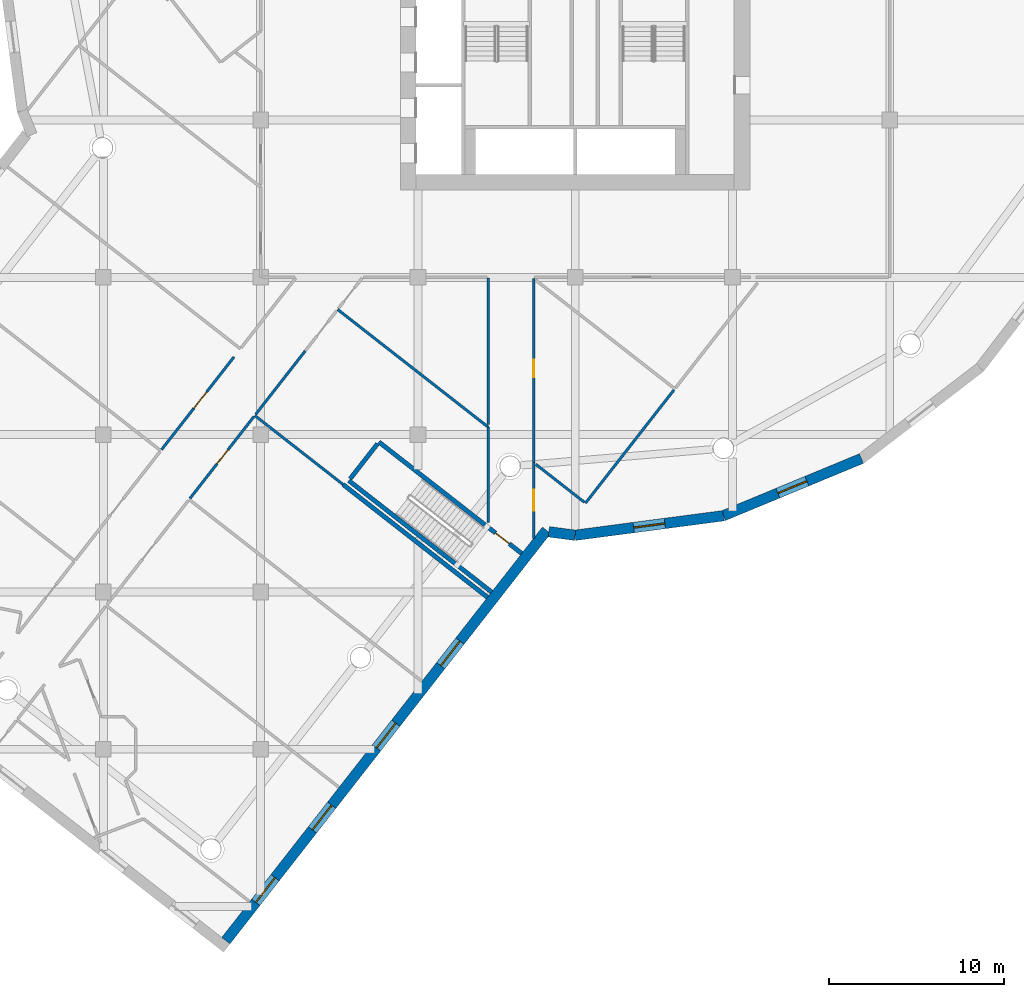
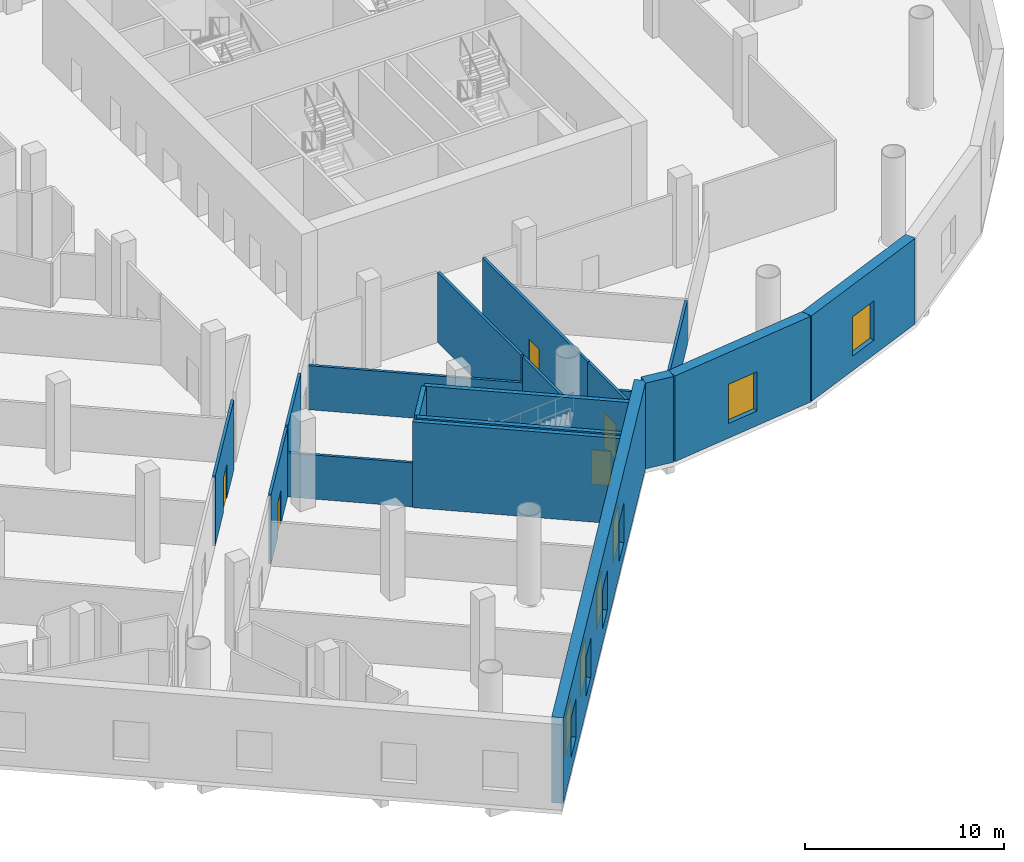
# One storey, part 5 of 23: 19 walls, 6 windows, 5 doors, 11 openings.
"""IFC4 building model written with IfcOpenShell, lengths in metres."""

import ifcopenshell
import ifcopenshell.guid

model = None  # the IFC model being written
_history = None  # IfcOwnerHistory: only IFC2X3 demands one
_inside = {}  # id of a spatial element -> (the spatial element, [elements in it])
_under = {}  # id of a project, library or spatial element -> (it, [spatial elements below it])
_declared = {}  # id of a project -> (the project, [libraries it declares])
_typed = {}  # id of a type object -> (the type object, [elements of that type])
_made_of = {}  # id of a material, layer set ... -> (it, [elements and type objects made of it])


def new_model(schema):
    """Start an empty IFC model of exactly this schema.

    Asked for "IFC4X3", IfcOpenShell would pick the latest addendum, in which some entities
    have other attributes; the version numbers below select the first issue.
    IFC2X3 requires an IfcOwnerHistory on every rooted entity: one is made here for all.
    """
    global model, _history
    if schema == "IFC4X3":
        model = ifcopenshell.file(schema_version=(4, 3, 0, 0))
    else:
        model = ifcopenshell.file(schema=schema)
    _inside.clear()
    _under.clear()
    _declared.clear()
    _typed.clear()
    _made_of.clear()
    _history = None
    if model.schema == "IFC2X3":
        org = make("IfcOrganization", Name="unknown")
        user = make(
            "IfcPersonAndOrganization",
            ThePerson=make("IfcPerson", FamilyName="unknown"),
            TheOrganization=org,
        )
        app = make(
            "IfcApplication",
            ApplicationDeveloper=org,
            Version="unknown",
            ApplicationFullName="unknown",
            ApplicationIdentifier="unknown",
        )
        _history = make(
            "IfcOwnerHistory",
            OwningUser=user,
            OwningApplication=app,
            ChangeAction="ADDED",
            CreationDate=0,
        )
    return model


def make(cls, **values):
    """One entity of the class cls with the attributes given. An attribute that is None is left unset."""
    return model.create_entity(
        cls, **{name: value for name, value in values.items() if value is not None}
    )


def rooted(cls, **values):
    """An entity with a GlobalId (a new one), such as an element, a storey or a relation."""
    return make(cls, GlobalId=ifcopenshell.guid.new(), OwnerHistory=_history, **values)


def si_unit(unit_type, name, prefix=None):
    """IfcSIUnit, for example si_unit("LENGTHUNIT", "METRE", prefix="MILLI")."""
    return make("IfcSIUnit", UnitType=unit_type, Prefix=prefix, Name=name)


def assignment(units):
    """IfcUnitAssignment: the units of a project."""
    return None if units is None else make("IfcUnitAssignment", Units=units)


def point(xyz):
    """IfcCartesianPoint."""
    return None if xyz is None else make("IfcCartesianPoint", Coordinates=xyz)


def direction(xyz):
    """IfcDirection."""
    return None if xyz is None else make("IfcDirection", DirectionRatios=xyz)


def frame(location, z_axis=None, x_axis=None):
    """IfcAxis2Placement3D, a coordinate frame: its origin and axes. An axis left out is left unset."""
    return make(
        "IfcAxis2Placement3D",
        Location=point(location),
        Axis=direction(z_axis),
        RefDirection=direction(x_axis),
    )


def frame_2d(location, x_axis=None):
    """IfcAxis2Placement2D, a coordinate frame in the plane: its origin and x axis."""
    return make(
        "IfcAxis2Placement2D", Location=point(location), RefDirection=direction(x_axis)
    )


def origin():
    """The frame at (0, 0, 0) with its axes left unset."""
    return frame((0.0, 0.0, 0.0))


def place(relative_to, where):
    """IfcLocalPlacement: puts the frame where relative to a parent placement (None: the world)."""
    return make(
        "IfcLocalPlacement", PlacementRelTo=relative_to, RelativePlacement=where
    )


def context(
    kind, dimensions, precision=None, world=None, true_north=None, identifier=None
):
    """IfcGeometricRepresentationContext, for example the 3D "Model" context."""
    return make(
        "IfcGeometricRepresentationContext",
        ContextIdentifier=identifier,
        ContextType=kind,
        CoordinateSpaceDimension=dimensions,
        Precision=precision,
        WorldCoordinateSystem=world,
        TrueNorth=true_north,
    )


def subcontext(parent, identifier, kind, view, scale=None):
    """IfcGeometricRepresentationSubContext, for example "Body" below "Model"."""
    return make(
        "IfcGeometricRepresentationSubContext",
        ContextIdentifier=identifier,
        ContextType=kind,
        ParentContext=parent,
        TargetScale=scale,
        TargetView=view,
    )


def project(units=None, contexts=None):
    """IfcProject with its units and contexts."""
    return rooted(
        "IfcProject",
        Name="project",
        RepresentationContexts=contexts,
        UnitsInContext=assignment(units),
    )


def spatial(cls, under=None, at=None, **own):
    """A site, building, storey or space (cls), placed at a placement, below another one or the project."""
    s = rooted(cls, ObjectPlacement=at, **own)
    if under is not None:
        _under.setdefault(under.id(), (under, []))[1].append(s)
    return s


def profile(cls, at=None, kind="AREA", **sizes):
    """A parametric profile (cls). Its sizes go by their IFC names, for example OverallWidth=200.0."""
    return make(cls, ProfileType=kind, Position=at, **sizes)


def rectangle(**sizes):
    """IfcRectangleProfileDef."""
    return profile("IfcRectangleProfileDef", **sizes)


def extrude(swept, where, along, depth):
    """IfcExtrudedAreaSolid: the profile swept, set in the frame where, extruded along a direction by depth."""
    return make(
        "IfcExtrudedAreaSolid",
        SweptArea=swept,
        Position=where,
        ExtrudedDirection=direction(along),
        Depth=depth,
    )


def shape(context_of_items, identifier, shape_type, items):
    """IfcShapeRepresentation: the items that make up one representation, for example the "Body"."""
    return make(
        "IfcShapeRepresentation",
        ContextOfItems=context_of_items,
        RepresentationIdentifier=identifier,
        RepresentationType=shape_type,
        Items=items,
    )


def material(Name=None, Category=None):
    """IfcMaterial."""
    return make("IfcMaterial", Name=Name, Category=Category)


def layer(
    of_material, thickness, ventilated=None, Name=None, Category=None, Priority=None
):
    """IfcMaterialLayer: one layer of a wall or slab, of a material (None: an air gap)."""
    return make(
        "IfcMaterialLayer",
        Material=of_material,
        LayerThickness=thickness,
        IsVentilated=ventilated,
        Name=Name,
        Category=Category,
        Priority=Priority,
    )


def layer_set(layers, Name=None):
    """IfcMaterialLayerSet."""
    return make("IfcMaterialLayerSet", MaterialLayers=layers, LayerSetName=Name)


def made_of(thing, what):
    """Note that an element or type object is made of a material, layer set ...; save() writes the relation."""
    if what is not None:
        _made_of.setdefault(what.id(), (what, []))[1].append(thing)
    return thing


def type_object(cls, material=None, **own):
    """A type object (cls), such as IfcWallType, which elements share."""
    return made_of(rooted(cls, **own), material)


def element(
    cls,
    number,
    at=None,
    inside=None,
    cuts=None,
    type_object=None,
    material=None,
    context=None,
    identifier="Body",
    shape_type=None,
    held_by="IfcProductDefinitionShape",
    body=None,
    shapes=None,
    **own,
):
    """One element of the class cls, such as IfcWall. Its Tag is "e" and its number.

    at: its placement. inside: the storey or other place that contains it. cuts: it is an
    opening in that element (IfcRelVoidsElement). A single representation is given by context,
    identifier, shape_type and body (its items); several are given by shapes. held_by: the class
    of the entity that holds the representations. save() writes the other relations.
    """
    e = rooted(cls, Tag="e%d" % number, ObjectPlacement=at, **own)
    if body is not None:
        shapes = [shape(context, identifier, shape_type, body)]
    if shapes is not None:
        e.Representation = make(held_by, Representations=shapes)
    if inside is not None:
        _inside.setdefault(inside.id(), (inside, []))[1].append(e)
    if cuts is not None:
        rooted(
            "IfcRelVoidsElement", RelatingBuildingElement=cuts, RelatedOpeningElement=e
        )
    if type_object is not None:
        _typed.setdefault(type_object.id(), (type_object, []))[1].append(e)
    return made_of(e, material)


def fill(opening, filler):
    """IfcRelFillsElement: the door or window that sits in an opening."""
    return rooted(
        "IfcRelFillsElement",
        RelatingOpeningElement=opening,
        RelatedBuildingElement=filler,
    )


def aggregate(whole, parts):
    """IfcRelAggregates: a whole, such as a stair, and the parts it consists of."""
    return rooted("IfcRelAggregates", RelatingObject=whole, RelatedObjects=parts)


def save(model, path):
    """Write the relations noted so far, then the file.

    IfcRelAggregates (storeys below a building ...), IfcRelContainedInSpatialStructure (elements
    in a storey), IfcRelDefinesByType, IfcRelAssociatesMaterial and IfcRelDeclares: one each for
    every whole, place, type object, material and project.
    """
    for whole, parts in _under.values():
        aggregate(whole, parts)
    for where, things in _inside.values():
        rooted(
            "IfcRelContainedInSpatialStructure",
            RelatedElements=things,
            RelatingStructure=where,
        )
    for kind, things in _typed.values():
        rooted("IfcRelDefinesByType", RelatedObjects=things, RelatingType=kind)
    for what, things in _made_of.values():
        rooted("IfcRelAssociatesMaterial", RelatedObjects=things, RelatingMaterial=what)
    for by, libraries in _declared.values():
        rooted("IfcRelDeclares", RelatingContext=by, RelatedDefinitions=libraries)
    model.write(path)


model = new_model("IFC4")

# Units and contexts
model_context = context("Model", 3, precision=1e-05, world=origin(), true_north=direction((0.0, 1.0)))
body_context = subcontext(model_context, "Body", "Model", "MODEL_VIEW")
ifc_project = project(units=[si_unit("LENGTHUNIT", "METRE"), si_unit("AREAUNIT", "SQUARE_METRE"), si_unit("VOLUMEUNIT", "CUBIC_METRE"), si_unit("PLANEANGLEUNIT", "RADIAN"), si_unit("MASSUNIT", "GRAM", prefix="KILO")], contexts=[model_context])

# Site, building, storey
site_placement = place(None, origin())
site = spatial("IfcSite", under=ifc_project, at=site_placement, CompositionType="ELEMENT")
building_placement = place(site_placement, origin())
building = spatial("IfcBuilding", under=site, at=building_placement, Name="Tarsis Ring Headquarters", CompositionType="ELEMENT")
storey_placement = place(building_placement, frame((0.0, 0.0, 19.5)))
storey = spatial("IfcBuildingStorey", under=building, at=storey_placement, Name="L03", CompositionType="ELEMENT", Elevation=19.5)

# Walls
ifc_material_1 = material(Name="Plasterboard partition")
ifc_layer_1 = layer(ifc_material_1, 0.14990234375)
ifc_layer_set_1 = layer_set([ifc_layer_1], Name="PO-PW150")
wall_type_1 = type_object("IfcWallType", Name="PO-PW150", PredefinedType="PARTITIONING", material=ifc_layer_set_1)
wall_1_placement = place(storey_placement, frame((-13.59375, -19.835693359375, 0.0), z_axis=(0.0, 0.0, 1.0), x_axis=(0.788011845372, -0.615660077928, 0.0)))
element("IfcWall", 1, at=wall_1_placement, inside=storey, type_object=wall_type_1, Name="L03 partition wall 18", PredefinedType="PARTITIONING", context=body_context, shape_type="SweptSolid", body=[
    extrude(rectangle(XDim=10.931396484375, YDim=0.14990234375, at=frame_2d((5.4658203125, 0.0))), origin(), (0.0, 0.0, 1.0), 2.699951171875),
])
wall_2_placement = place(storey_placement, frame((0.59033203125, -30.917724609375, 0.0), z_axis=(0.0, 0.0, 1.0), x_axis=(0.615660179856, 0.788011765736, 0.0)))
element("IfcWall", 2, at=wall_2_placement, inside=storey, type_object=wall_type_1, Name="L03 partition wall 37", PredefinedType="PARTITIONING", context=body_context, shape_type="SweptSolid", body=[
    extrude(rectangle(XDim=8.22021484375, YDim=0.14990234375, at=frame_2d((4.110107421875, 0.0))), origin(), (0.0, 0.0, 1.0), 2.699951171875),
])
wall_3_placement = place(storey_placement, frame((-18.33447265625, -25.9033203125, 0.0), z_axis=(0.0, 0.0, 1.0), x_axis=(0.788000107772, -0.61567510113, 0.0)))
element("IfcWall", 3, at=wall_3_placement, inside=storey, type_object=wall_type_1, Name="L03 partition wall 53", PredefinedType="PARTITIONING", context=body_context, shape_type="SweptSolid", body=[
    extrude(rectangle(XDim=6.406494140625, YDim=0.14990234375, at=frame_2d((3.203125, 0.0))), origin(), (0.0, 0.0, 1.0), 2.699951171875),
])
wall_4_placement = place(storey_placement, frame((-2.253662109375, -28.695556640625, 0.0), z_axis=(0.0, 0.0, 1.0), x_axis=(0.787998153612, -0.615677602243, 0.0)))
element("IfcWall", 4, at=wall_4_placement, inside=storey, type_object=wall_type_1, Name="L03 partition wall 91", PredefinedType="PARTITIONING", context=body_context, shape_type="SweptSolid", body=[
    extrude(rectangle(XDim=3.529296875, YDim=0.14990234375, at=frame_2d((1.7646484375, 0.0))), origin(), (0.0, 0.0, 1.0), 2.699951171875),
])

# Wall, opening, door
ifc_layer_2 = layer(ifc_material_1, 0.14990234375)
ifc_layer_set_2 = layer_set([ifc_layer_2], Name="PO-PW150R-4283")
wall_type_2 = type_object("IfcWallType", Name="PO-PW150R-4283", PredefinedType="PARTITIONING", material=ifc_layer_set_2)
wall_5_placement = place(storey_placement, frame((-2.3798828125, -18.064208984375, 0.0), z_axis=(0.0, 0.0, 1.0), x_axis=(0.0, -1.0, 0.0)))
wall_5 = element("IfcWall", 5, at=wall_5_placement, inside=storey, type_object=wall_type_2, Name="L03 partition wall 19", PredefinedType="PARTITIONING", context=body_context, shape_type="SweptSolid", body=[
    extrude(rectangle(XDim=10.532958984375, YDim=0.14990234375, at=frame_2d((5.2666015625, 0.0))), origin(), (0.0, 0.0, 1.0), 4.282958984375),
])
opening_1_placement = place(wall_5_placement, frame((4.6484375, 0.0, 0.0)))
opening_1 = element("IfcOpeningElement", 6, at=opening_1_placement, cuts=wall_5, Name="Opening PO-D1", PredefinedType="OPENING", context=body_context, shape_type="SweptSolid", body=[
    extrude(rectangle(XDim=1.0, YDim=2.10009765625, at=frame_2d((0.5, 1.050048828125))), frame((0.0, 0.0849609375, 0.0), z_axis=(0.0, -1.0, 0.0), x_axis=(1.0, 0.0, 0.0)), (0.0, 0.0, 1.0), 0.169921875),
])
ifc_material_2 = material(Name="Timber door", Category="wood")
door_type_1 = type_object("IfcDoorType", Name="PO-D1000", OperationType="NOTDEFINED", PredefinedType="DOOR", material=ifc_material_2)
door_1_placement = place(opening_1_placement, origin())
door_1 = element("IfcDoor", 7, at=door_1_placement, inside=storey, type_object=door_type_1, Name="Consulting room door", OperationType="SINGLE_SWING_RIGHT", OverallHeight=2.10009765625, OverallWidth=1.0, PredefinedType="DOOR", context=body_context, shape_type="SweptSolid", body=[
    extrude(rectangle(XDim=1.0, YDim=2.10009765625, at=frame_2d((0.5, 1.050048828125))), frame((0.0, 0.02490234375, 0.0), z_axis=(0.0, -1.0, 0.0), x_axis=(1.0, 0.0, 0.0)), (0.0, 0.0, 1.0), 0.050048828125),
])
fill(opening_1, door_1)

# Wall
wall_6_placement = place(storey_placement, frame((-4.979736328125, -26.40576171875, 0.0), z_axis=(0.0, 0.0, 1.0), x_axis=(0.0, 1.0, 0.0)))
element("IfcWall", 8, at=wall_6_placement, inside=storey, type_object=wall_type_2, Name="L03 partition wall 34", PredefinedType="PARTITIONING", context=body_context, shape_type="SweptSolid", body=[
    extrude(rectangle(XDim=8.36572265625, YDim=0.14990234375, at=frame_2d((4.182861328125, 0.0))), origin(), (0.0, 0.0, 1.0), 4.282958984375),
])

# Wall, opening, door
wall_7_placement = place(storey_placement, frame((-23.666015625, -27.854736328125, 0.0), z_axis=(0.0, 0.0, 1.0), x_axis=(0.615653200098, 0.788017218853, 0.0)))
wall_7 = element("IfcWall", 9, at=wall_7_placement, inside=storey, type_object=wall_type_2, Name="L03 partition wall 50", PredefinedType="PARTITIONING", context=body_context, shape_type="SweptSolid", body=[
    extrude(rectangle(XDim=6.72509765625, YDim=0.14990234375, at=frame_2d((3.362548828125, 0.0))), origin(), (0.0, 0.0, 1.0), 4.282958984375),
])
opening_2_placement = place(wall_7_placement, frame((2.989990234375, 0.0, 0.0)))
opening_2 = element("IfcOpeningElement", 10, at=opening_2_placement, cuts=wall_7, Name="Opening PO-D2", PredefinedType="OPENING", context=body_context, shape_type="SweptSolid", body=[
    extrude(rectangle(XDim=1.199951171875, YDim=2.10009765625, at=frame_2d((0.60009765625, 1.050048828125))), frame((0.0, 0.0849609375, 0.0), z_axis=(0.0, -1.0, 0.0), x_axis=(1.0, 0.0, 0.0)), (0.0, 0.0, 1.0), 0.169921875),
])
door_type_2 = type_object("IfcDoorType", Name="PO-D1200", OperationType="NOTDEFINED", PredefinedType="DOOR", material=ifc_material_2)
door_2_placement = place(opening_2_placement, origin())
door_2 = element("IfcDoor", 11, at=door_2_placement, inside=storey, type_object=door_type_2, Name="Consulting room door", OperationType="SINGLE_SWING_RIGHT", OverallHeight=2.10009765625, OverallWidth=1.199951171875, PredefinedType="DOOR", context=body_context, shape_type="SweptSolid", body=[
    extrude(rectangle(XDim=1.199951171875, YDim=2.10009765625, at=frame_2d((0.60009765625, 1.050048828125))), frame((0.0, 0.02490234375, 0.0), z_axis=(0.0, -1.0, 0.0), x_axis=(1.0, 0.0, 0.0)), (0.0, 0.0, 1.0), 0.050048828125),
])
fill(opening_2, door_2)

wall_8_placement = place(storey_placement, frame((-18.3837890625, -25.966552734375, 0.0), z_axis=(0.0, 0.0, 1.0), x_axis=(-0.615666374874, -0.788006925635, 0.0)))
wall_8 = element("IfcWall", 12, at=wall_8_placement, inside=storey, type_object=wall_type_2, Name="L03 partition wall 56", PredefinedType="PARTITIONING", context=body_context, shape_type="SweptSolid", body=[
    extrude(rectangle(XDim=5.93994140625, YDim=0.14990234375, at=frame_2d((2.969970703125, 0.0))), origin(), (0.0, 0.0, 1.0), 4.282958984375),
])
opening_3_placement = place(wall_8_placement, frame((2.419921875, 0.0, 0.0)))
opening_3 = element("IfcOpeningElement", 13, at=opening_3_placement, cuts=wall_8, Name="Opening PO-D1", PredefinedType="OPENING", context=body_context, shape_type="SweptSolid", body=[
    extrude(rectangle(XDim=1.0, YDim=2.10009765625, at=frame_2d((0.5, 1.050048828125))), frame((0.0, 0.0849609375, 0.0), z_axis=(0.0, -1.0, 0.0), x_axis=(1.0, 0.0, 0.0)), (0.0, 0.0, 1.0), 0.169921875),
])
door_3_placement = place(opening_3_placement, origin())
door_3 = element("IfcDoor", 14, at=door_3_placement, inside=storey, type_object=door_type_1, Name="Pharmacy store door", OperationType="SINGLE_SWING_RIGHT", OverallHeight=2.10009765625, OverallWidth=1.0, PredefinedType="DOOR", context=body_context, shape_type="SweptSolid", body=[
    extrude(rectangle(XDim=1.0, YDim=2.10009765625, at=frame_2d((0.5, 1.050048828125))), frame((0.0, 0.02490234375, 0.0), z_axis=(0.0, -1.0, 0.0), x_axis=(1.0, 0.0, 0.0)), (0.0, 0.0, 1.0), 0.050048828125),
])
fill(opening_3, door_3)

# Walls
wall_9_placement = place(storey_placement, frame((-4.979736328125, -32.014404296875, 0.0), z_axis=(0.0, 0.0, 1.0), x_axis=(0.0, 1.0, 0.0)))
element("IfcWall", 15, at=wall_9_placement, inside=storey, type_object=wall_type_2, Name="L03 partition wall 65", PredefinedType="PARTITIONING", context=body_context, shape_type="SweptSolid", body=[
    extrude(rectangle(XDim=5.44873046875, YDim=0.14990234375, at=frame_2d((2.724365234375, 0.0))), origin(), (0.0, 0.0, 1.0), 4.282958984375),
])
wall_10_placement = place(storey_placement, frame((-15.4453125, -22.20556640625, 0.0), z_axis=(0.0, 0.0, 1.0), x_axis=(-0.615668692597, -0.788005114803, 0.0)))
element("IfcWall", 16, at=wall_10_placement, inside=storey, type_object=wall_type_2, Name="L03 partition wall 75", PredefinedType="PARTITIONING", context=body_context, shape_type="SweptSolid", body=[
    extrude(rectangle(XDim=4.612548828125, YDim=0.14990234375, at=frame_2d((2.30615234375, 0.0))), origin(), (0.0, 0.0, 1.0), 4.282958984375),
])

# Wall, opening, door
wall_11_placement = place(storey_placement, frame((-2.3798828125, -28.598388671875, 0.0), z_axis=(0.0, 0.0, 1.0), x_axis=(0.0, -1.0, 0.0)))
wall_11 = element("IfcWall", 17, at=wall_11_placement, inside=storey, type_object=wall_type_2, Name="L03 partition wall 81", PredefinedType="PARTITIONING", context=body_context, shape_type="SweptSolid", body=[
    extrude(rectangle(XDim=4.334228515625, YDim=0.14990234375, at=frame_2d((2.1669921875, 0.0))), origin(), (0.0, 0.0, 1.0), 4.282958984375),
])
opening_4_placement = place(wall_11_placement, frame((1.548583984375, 0.0, 0.0)))
opening_4 = element("IfcOpeningElement", 18, at=opening_4_placement, cuts=wall_11, Name="Opening PO-D2", PredefinedType="OPENING", context=body_context, shape_type="SweptSolid", body=[
    extrude(rectangle(XDim=1.199951171875, YDim=2.10009765625, at=frame_2d((0.60009765625, 1.050048828125))), frame((0.0, 0.0849609375, 0.0), z_axis=(0.0, -1.0, 0.0), x_axis=(1.0, 0.0, 0.0)), (0.0, 0.0, 1.0), 0.169921875),
])
door_4_placement = place(opening_4_placement, origin())
door_4 = element("IfcDoor", 19, at=door_4_placement, inside=storey, type_object=door_type_2, Name="Server room door", OperationType="SINGLE_SWING_LEFT", OverallHeight=2.10009765625, OverallWidth=1.199951171875, PredefinedType="DOOR", context=body_context, shape_type="SweptSolid", body=[
    extrude(rectangle(XDim=1.199951171875, YDim=2.10009765625, at=frame_2d((0.60009765625, 1.050048828125))), frame((0.0, 0.02490234375, 0.0), z_axis=(0.0, -1.0, 0.0), x_axis=(1.0, 0.0, 0.0)), (0.0, 0.0, 1.0), 0.050048828125),
])
fill(opening_4, door_4)

# Wall
ifc_material_3 = material(Name="Concrete C40/50", Category="concrete")
ifc_layer_3 = layer(ifc_material_3, 0.25)
ifc_layer_set_3 = layer_set([ifc_layer_3], Name="PO-W250")
wall_type_3 = type_object("IfcWallType", Name="PO-W250", PredefinedType="SOLIDWALL", material=ifc_layer_set_3)
wall_12_placement = place(storey_placement, frame((-5.01708984375, -36.30810546875, 0.0), z_axis=(0.0, 0.0, 1.0), x_axis=(-0.788012380899, 0.615659392481, 0.0)))
element("IfcWall", 20, at=wall_12_placement, inside=storey, type_object=wall_type_3, Name="L03 shaft wall 20", PredefinedType="SOLIDWALL", context=body_context, shape_type="SweptSolid", body=[
    extrude(rectangle(XDim=10.49365234375, YDim=0.25, at=frame_2d((5.246826171875, 0.0))), origin(), (0.0, 0.0, 1.0), 5.25),
])

# Wall, opening, door
wall_13_placement = place(storey_placement, frame((-11.23193359375, -27.41943359375, 0.0), z_axis=(0.0, 0.0, 1.0), x_axis=(0.788273447376, -0.615325094696, 0.0)))
wall_13 = element("IfcWall", 21, at=wall_13_placement, inside=storey, type_object=wall_type_3, Name="L03 shaft wall 21", PredefinedType="SOLIDWALL", context=body_context, shape_type="SweptSolid", body=[
    extrude(rectangle(XDim=10.369873046875, YDim=0.25, at=frame_2d((5.18505859375, 0.0))), origin(), (0.0, 0.0, 1.0), 5.25),
])
opening_5_placement = place(wall_13_placement, frame((8.465087890625, 0.0, 0.0)))
opening_5 = element("IfcOpeningElement", 22, at=opening_5_placement, cuts=wall_13, Name="Opening PO-D3", PredefinedType="OPENING", context=body_context, shape_type="SweptSolid", body=[
    extrude(rectangle(XDim=1.0, YDim=2.10009765625, at=frame_2d((0.5, 1.050048828125))), frame((0.0, 0.135009765625, 0.0), z_axis=(0.0, -1.0, 0.0), x_axis=(1.0, 0.0, 0.0)), (0.0, 0.0, 1.0), 0.27001953125),
])
ifc_material_4 = material(Name="Steel fire door", Category="steel")
door_type_3 = type_object("IfcDoorType", Name="PO-D1000F", OperationType="SINGLE_SWING_LEFT", PredefinedType="DOOR", material=ifc_material_4)
door_5_placement = place(opening_5_placement, origin())
door_5 = element("IfcDoor", 23, at=door_5_placement, inside=storey, type_object=door_type_3, Name="Exit stair 2 door", OperationType="SINGLE_SWING_LEFT", OverallHeight=2.10009765625, OverallWidth=1.0, PredefinedType="DOOR", context=body_context, shape_type="SweptSolid", body=[
    extrude(rectangle(XDim=1.0, YDim=2.10009765625, at=frame_2d((0.5, 1.050048828125))), frame((0.0, 0.02490234375, 0.0), z_axis=(0.0, -1.0, 0.0), x_axis=(1.0, 0.0, 0.0)), (0.0, 0.0, 1.0), 0.050048828125),
])
fill(opening_5, door_5)

# Walls
wall_14_placement = place(storey_placement, frame((-4.781494140625, -36.006591796875, 0.0), z_axis=(0.0, 0.0, 1.0), x_axis=(-0.788283470415, 0.615312254283, 0.0)))
element("IfcWall", 24, at=wall_14_placement, inside=storey, type_object=wall_type_3, Name="L03 shaft wall 23", PredefinedType="SOLIDWALL", context=body_context, shape_type="SweptSolid", body=[
    extrude(rectangle(XDim=10.368408203125, YDim=0.25, at=frame_2d((5.18408203125, 0.0))), origin(), (0.0, 0.0, 1.0), 5.25),
])
wall_15_placement = place(storey_placement, frame((-12.875, -29.524169921875, 0.0), z_axis=(0.0, 0.0, 1.0), x_axis=(0.615343695919, 0.788258926935, 0.0)))
element("IfcWall", 25, at=wall_15_placement, inside=storey, type_object=wall_type_3, Name="L03 shaft wall 105", PredefinedType="SOLIDWALL", context=body_context, shape_type="SweptSolid", body=[
    extrude(rectangle(XDim=2.5400390625, YDim=0.25, at=frame_2d((1.27001953125, 0.0))), origin(), (0.0, 0.0, 1.0), 5.25),
])

# Wall, openings, windows
ifc_material_5 = material(Name="Concrete C60/75", Category="concrete")
ifc_layer_4 = layer(ifc_material_5, 0.60009765625)
ifc_layer_set_4 = layer_set([ifc_layer_4], Name="PO-W600")
wall_type_4 = type_object("IfcWallType", Name="PO-W600", PredefinedType="SOLIDWALL", material=ifc_layer_set_4)
wall_16_placement = place(storey_placement, frame((-19.987548828125, -55.956787109375, 0.0), z_axis=(0.0, 0.0, 1.0), x_axis=(0.615659303268, 0.7880124506, 0.0)))
wall_16 = element("IfcWall", 26, at=wall_16_placement, inside=storey, type_object=wall_type_4, Name="L03 external wall 8", PredefinedType="SOLIDWALL", context=body_context, shape_type="SweptSolid", body=[
    extrude(rectangle(XDim=29.802001953125, YDim=0.60009765625, at=frame_2d((14.90087890625, 0.0))), origin(), (0.0, 0.0, 1.0), 5.25),
])
opening_6_placement = place(wall_16_placement, frame((2.7802734375, 0.0, 0.89990234375)))
opening_6 = element("IfcOpeningElement", 27, at=opening_6_placement, cuts=wall_16, Name="Opening PO-WN1", PredefinedType="OPENING", context=body_context, shape_type="SweptSolid", body=[
    extrude(rectangle(XDim=1.800048828125, YDim=2.39990234375, at=frame_2d((0.89990234375, 1.199951171875))), frame((0.0, 0.31005859375, 0.0), z_axis=(0.0, -1.0, 0.0), x_axis=(1.0, 0.0, 0.0)), (0.0, 0.0, 1.0), 0.6201171875),
])
opening_7_placement = place(wall_16_placement, frame((8.04052734375, 0.0, 0.89990234375)))
opening_7 = element("IfcOpeningElement", 28, at=opening_7_placement, cuts=wall_16, Name="Opening PO-WN1", PredefinedType="OPENING", context=body_context, shape_type="SweptSolid", body=[
    extrude(rectangle(XDim=1.800048828125, YDim=2.39990234375, at=frame_2d((0.89990234375, 1.199951171875))), frame((0.0, 0.31005859375, 0.0), z_axis=(0.0, -1.0, 0.0), x_axis=(1.0, 0.0, 0.0)), (0.0, 0.0, 1.0), 0.6201171875),
])
opening_8_placement = place(wall_16_placement, frame((14.0009765625, 0.0, 0.89990234375)))
opening_8 = element("IfcOpeningElement", 29, at=opening_8_placement, cuts=wall_16, Name="Opening PO-WN1", PredefinedType="OPENING", context=body_context, shape_type="SweptSolid", body=[
    extrude(rectangle(XDim=1.800048828125, YDim=2.39990234375, at=frame_2d((0.89990234375, 1.199951171875))), frame((0.0, 0.31005859375, 0.0), z_axis=(0.0, -1.0, 0.0), x_axis=(1.0, 0.0, 0.0)), (0.0, 0.0, 1.0), 0.6201171875),
])
opening_9_placement = place(wall_16_placement, frame((19.96142578125, 0.0, 0.89990234375)))
opening_9 = element("IfcOpeningElement", 30, at=opening_9_placement, cuts=wall_16, Name="Opening PO-WN1", PredefinedType="OPENING", context=body_context, shape_type="SweptSolid", body=[
    extrude(rectangle(XDim=1.800048828125, YDim=2.39990234375, at=frame_2d((0.89990234375, 1.199951171875))), frame((0.0, 0.31005859375, 0.0), z_axis=(0.0, -1.0, 0.0), x_axis=(1.0, 0.0, 0.0)), (0.0, 0.0, 1.0), 0.6201171875),
])
ifc_material_6 = material(Name="Double glazing", Category="glass")
window_type = type_object("IfcWindowType", Name="PO-WN1800", PartitioningType="SINGLE_PANEL", PredefinedType="WINDOW", material=ifc_material_6)
window_1_placement = place(opening_6_placement, origin())
window_1 = element("IfcWindow", 31, at=window_1_placement, inside=storey, type_object=window_type, Name="L03 window 8.1", OverallHeight=2.39990234375, OverallWidth=1.800048828125, PartitioningType="SINGLE_PANEL", PredefinedType="WINDOW", context=body_context, shape_type="SweptSolid", body=[
    extrude(rectangle(XDim=1.800048828125, YDim=2.39990234375, at=frame_2d((0.89990234375, 1.199951171875))), frame((0.0, 0.030029296875, 0.0), z_axis=(0.0, -1.0, 0.0), x_axis=(1.0, 0.0, 0.0)), (0.0, 0.0, 1.0), 0.06005859375),
])
fill(opening_6, window_1)
window_2_placement = place(opening_7_placement, origin())
window_2 = element("IfcWindow", 32, at=window_2_placement, inside=storey, type_object=window_type, Name="L03 window 8.2", OverallHeight=2.39990234375, OverallWidth=1.800048828125, PartitioningType="SINGLE_PANEL", PredefinedType="WINDOW", context=body_context, shape_type="SweptSolid", body=[
    extrude(rectangle(XDim=1.800048828125, YDim=2.39990234375, at=frame_2d((0.89990234375, 1.199951171875))), frame((0.0, 0.030029296875, 0.0), z_axis=(0.0, -1.0, 0.0), x_axis=(1.0, 0.0, 0.0)), (0.0, 0.0, 1.0), 0.06005859375),
])
fill(opening_7, window_2)
window_3_placement = place(opening_8_placement, origin())
window_3 = element("IfcWindow", 33, at=window_3_placement, inside=storey, type_object=window_type, Name="L03 window 8.3", OverallHeight=2.39990234375, OverallWidth=1.800048828125, PartitioningType="SINGLE_PANEL", PredefinedType="WINDOW", context=body_context, shape_type="SweptSolid", body=[
    extrude(rectangle(XDim=1.800048828125, YDim=2.39990234375, at=frame_2d((0.89990234375, 1.199951171875))), frame((0.0, 0.030029296875, 0.0), z_axis=(0.0, -1.0, 0.0), x_axis=(1.0, 0.0, 0.0)), (0.0, 0.0, 1.0), 0.06005859375),
])
fill(opening_8, window_3)
window_4_placement = place(opening_9_placement, origin())
window_4 = element("IfcWindow", 34, at=window_4_placement, inside=storey, type_object=window_type, Name="L03 window 8.4", OverallHeight=2.39990234375, OverallWidth=1.800048828125, PartitioningType="SINGLE_PANEL", PredefinedType="WINDOW", context=body_context, shape_type="SweptSolid", body=[
    extrude(rectangle(XDim=1.800048828125, YDim=2.39990234375, at=frame_2d((0.89990234375, 1.199951171875))), frame((0.0, 0.030029296875, 0.0), z_axis=(0.0, -1.0, 0.0), x_axis=(1.0, 0.0, 0.0)), (0.0, 0.0, 1.0), 0.06005859375),
])
fill(opening_9, window_4)

# Wall
wall_17_placement = place(storey_placement, frame((-1.510498046875, -32.55908203125, 0.0), z_axis=(0.0, 0.0, 1.0), x_axis=(0.991455931764, -0.130442076686, 0.0)))
element("IfcWall", 35, at=wall_17_placement, inside=storey, type_object=wall_type_4, Name="L03 external wall 9", PredefinedType="SOLIDWALL", context=body_context, shape_type="SweptSolid", body=[
    extrude(rectangle(XDim=1.5234375, YDim=0.60009765625, at=frame_2d((0.76171875, 0.0))), origin(), (0.0, 0.0, 1.0), 5.25),
])

# Wall, opening, window
wall_18_placement = place(storey_placement, frame((0.0, -32.7578125, 0.0), z_axis=(0.0, 0.0, 1.0), x_axis=(0.991444478179, 0.130529102837, 0.0)))
wall_18 = element("IfcWall", 36, at=wall_18_placement, inside=storey, type_object=wall_type_4, Name="L03 external wall 10", PredefinedType="SOLIDWALL", context=body_context, shape_type="SweptSolid", body=[
    extrude(rectangle(XDim=8.551513671875, YDim=0.60009765625, at=frame_2d((4.27587890625, 0.0))), origin(), (0.0, 0.0, 1.0), 5.25),
])
opening_10_placement = place(wall_18_placement, frame((3.375732421875, 0.0, 0.89990234375)))
opening_10 = element("IfcOpeningElement", 37, at=opening_10_placement, cuts=wall_18, Name="Opening PO-WN1", PredefinedType="OPENING", context=body_context, shape_type="SweptSolid", body=[
    extrude(rectangle(XDim=1.800048828125, YDim=2.39990234375, at=frame_2d((0.89990234375, 1.199951171875))), frame((0.0, 0.31005859375, 0.0), z_axis=(0.0, -1.0, 0.0), x_axis=(1.0, 0.0, 0.0)), (0.0, 0.0, 1.0), 0.6201171875),
])
window_5_placement = place(opening_10_placement, origin())
window_5 = element("IfcWindow", 38, at=window_5_placement, inside=storey, type_object=window_type, Name="L03 window 10.1", OverallHeight=2.39990234375, OverallWidth=1.800048828125, PartitioningType="SINGLE_PANEL", PredefinedType="WINDOW", context=body_context, shape_type="SweptSolid", body=[
    extrude(rectangle(XDim=1.800048828125, YDim=2.39990234375, at=frame_2d((0.89990234375, 1.199951171875))), frame((0.0, 0.030029296875, 0.0), z_axis=(0.0, -1.0, 0.0), x_axis=(1.0, 0.0, 0.0)), (0.0, 0.0, 1.0), 0.06005859375),
])
fill(opening_10, window_5)

wall_19_placement = place(storey_placement, frame((8.478271484375, -31.6416015625, 0.0), z_axis=(0.0, 0.0, 1.0), x_axis=(0.923883217595, 0.382674535665, 0.0)))
wall_19 = element("IfcWall", 39, at=wall_19_placement, inside=storey, type_object=wall_type_4, Name="L03 external wall 11", PredefinedType="SOLIDWALL", context=body_context, shape_type="SweptSolid", body=[
    extrude(rectangle(XDim=8.551513671875, YDim=0.60009765625, at=frame_2d((4.27587890625, 0.0))), origin(), (0.0, 0.0, 1.0), 5.25),
])
opening_11_placement = place(wall_19_placement, frame((3.375732421875, 0.0, 0.89990234375)))
opening_11 = element("IfcOpeningElement", 40, at=opening_11_placement, cuts=wall_19, Name="Opening PO-WN1", PredefinedType="OPENING", context=body_context, shape_type="SweptSolid", body=[
    extrude(rectangle(XDim=1.800048828125, YDim=2.39990234375, at=frame_2d((0.89990234375, 1.199951171875))), frame((0.0, 0.31005859375, 0.0), z_axis=(0.0, -1.0, 0.0), x_axis=(1.0, 0.0, 0.0)), (0.0, 0.0, 1.0), 0.6201171875),
])
window_6_placement = place(opening_11_placement, origin())
window_6 = element("IfcWindow", 41, at=window_6_placement, inside=storey, type_object=window_type, Name="L03 window 11.1", OverallHeight=2.39990234375, OverallWidth=1.800048828125, PartitioningType="SINGLE_PANEL", PredefinedType="WINDOW", context=body_context, shape_type="SweptSolid", body=[
    extrude(rectangle(XDim=1.800048828125, YDim=2.39990234375, at=frame_2d((0.89990234375, 1.199951171875))), frame((0.0, 0.030029296875, 0.0), z_axis=(0.0, -1.0, 0.0), x_axis=(1.0, 0.0, 0.0)), (0.0, 0.0, 1.0), 0.06005859375),
])
fill(opening_11, window_6)

save(model, "model.ifc")
